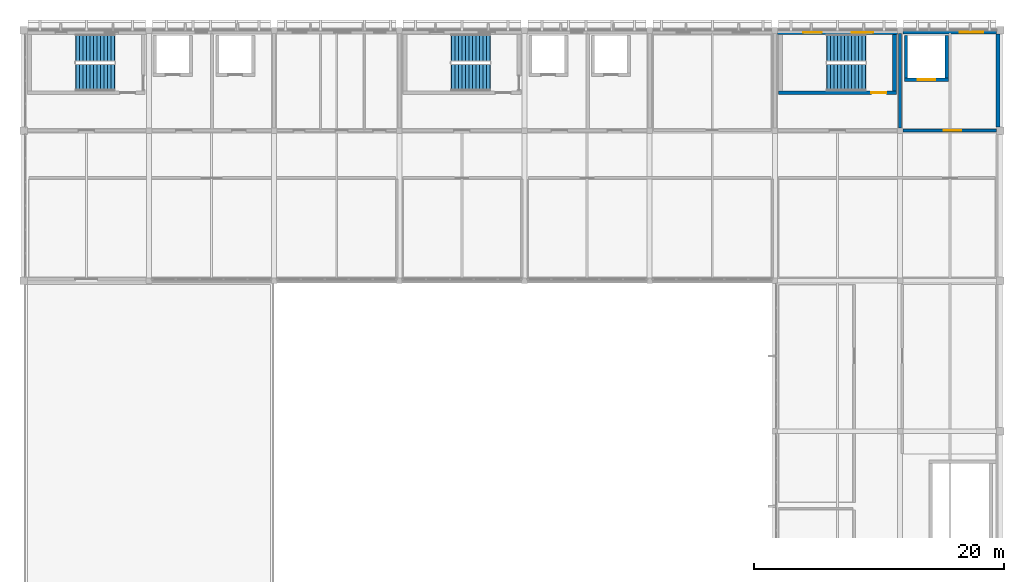
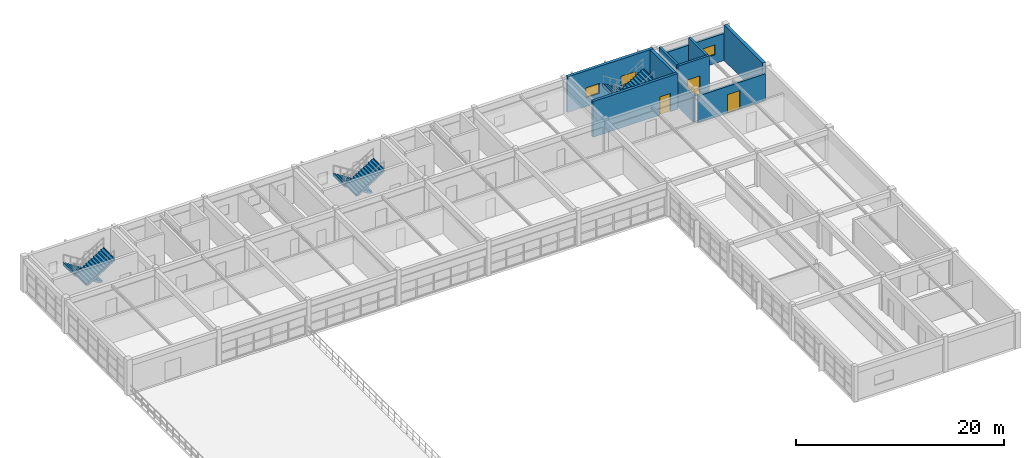
# One storey, part 17 of 21: 10 walls, 6 stair flights, 3 doors, 3 windows, 6 openings, 3 elements without a shape of their own.
"""IFC4 building model written with IfcOpenShell, lengths in metres."""

from ifc_helpers import new_model, si_unit, direction, frame, frame_2d, origin, place, context, subcontext, project, spatial, polyline, rectangle, outline, extrude, material, layer, layer_set, type_object, element, fill, aggregate, save


model = new_model("IFC4")

# Units and contexts
model_context = context("Model", 3, precision=1e-05, world=origin(), true_north=direction((0.0, 1.0)))
body_context = subcontext(model_context, "Body", "Model", "MODEL_VIEW")
ifc_project = project(units=[si_unit("LENGTHUNIT", "METRE"), si_unit("AREAUNIT", "SQUARE_METRE"), si_unit("VOLUMEUNIT", "CUBIC_METRE"), si_unit("PLANEANGLEUNIT", "RADIAN"), si_unit("MASSUNIT", "GRAM", prefix="KILO")], contexts=[model_context])

# Site, building, storey
site_placement = place(None, origin())
site = spatial("IfcSite", under=ifc_project, at=site_placement, CompositionType="ELEMENT")
building_placement = place(site_placement, origin())
building = spatial("IfcBuilding", under=site, at=building_placement, Name="Kivolera Central Railway Station", CompositionType="ELEMENT")
storey_placement = place(building_placement, frame((0.0, 0.0, 22.800048828125)))
storey = spatial("IfcBuildingStorey", under=building, at=storey_placement, Name="L05", CompositionType="ELEMENT", Elevation=22.800048828125)

# Wall, opening, door
ifc_material_1 = material(Name="Concrete C40/50", Category="concrete")
ifc_layer_1 = layer(ifc_material_1, 0.300048828125, Name="Concrete C40/50")
ifc_layer_set_1 = layer_set([ifc_layer_1], Name="Concrete C40/50")
wall_type_1 = type_object("IfcWallType", Name="WL-CORE-300", PredefinedType="SHEAR", material=ifc_layer_set_1)
wall_1_placement = place(storey_placement, frame((187.699951171875, 129.030029296875, 0.0), z_axis=(0.0, 0.0, 1.0), x_axis=(-1.0, 0.0, 0.0)))
wall_1 = element("IfcWall", 1, at=wall_1_placement, inside=storey, type_object=wall_type_1, Name="L05 ST3 Core Right Shear Wall", PredefinedType="SHEAR", context=body_context, shape_type="SweptSolid", body=[
    extrude(rectangle(XDim=9.39990234375, YDim=0.300048828125, at=frame_2d((4.699951171875, 0.0))), origin(), (0.0, 0.0, 1.0), 4.199951171875),
])
opening_1_placement = place(wall_1_placement, frame((0.800048828125, 0.0, 0.0)))
opening_1 = element("IfcOpeningElement", 2, at=opening_1_placement, cuts=wall_1, Name="Opening D-STAIR-1200", PredefinedType="OPENING", context=body_context, shape_type="SweptSolid", body=[
    extrude(rectangle(XDim=1.199951171875, YDim=2.14990234375, at=frame_2d((0.60009765625, 1.074951171875))), frame((0.0, 0.159912109375, 0.0), z_axis=(0.0, -1.0, 0.0), x_axis=(1.0, 0.0, 0.0)), (0.0, 0.0, 1.0), 0.320068359375),
])
ifc_material_2 = material(Name="Hardwood mvule timber", Category="wood")
door_type_1 = type_object("IfcDoorType", Name="DR-D-STAIR-1200", OperationType="NOTDEFINED", PredefinedType="DOOR", material=ifc_material_2)
door_1_placement = place(opening_1_placement, origin())
door_1 = element("IfcDoor", 3, at=door_1_placement, inside=storey, type_object=door_type_1, Name="L05 ST3 Vestibule Fire Door", OperationType="SINGLE_SWING_RIGHT", OverallHeight=2.14990234375, OverallWidth=1.199951171875, PredefinedType="DOOR", context=body_context, shape_type="SweptSolid", body=[
    extrude(rectangle(XDim=1.199951171875, YDim=2.14990234375, at=frame_2d((0.60009765625, 1.074951171875))), frame((0.0, 0.02490234375, 0.0), z_axis=(0.0, -1.0, 0.0), x_axis=(1.0, 0.0, 0.0)), (0.0, 0.0, 1.0), 0.050048828125),
])
fill(opening_1, door_1)

# Wall
wall_2_placement = place(storey_placement, frame((187.550048828125, 133.679931640625, 0.0), z_axis=(0.0, 0.0, 1.0), x_axis=(0.0, -1.0, 0.0)))
element("IfcWall", 4, at=wall_2_placement, inside=storey, type_object=wall_type_1, Name="L05 ST3 Core Near Shear Wall", PredefinedType="SHEAR", context=body_context, shape_type="SweptSolid", body=[
    extrude(rectangle(XDim=4.5, YDim=0.300048828125, at=frame_2d((2.25, 0.0))), origin(), (0.0, 0.0, 1.0), 4.199951171875),
])

# Wall, openings, windows
ifc_layer_2 = layer(ifc_material_1, 0.320068359375, Name="Concrete C40/50")
ifc_layer_set_2 = layer_set([ifc_layer_2], Name="Concrete C40/50")
wall_type_2 = type_object("IfcWallType", Name="WL-CORE-EXT-320", PredefinedType="SHEAR", material=ifc_layer_set_2)
wall_3_placement = place(storey_placement, frame((178.219970703125, 133.840087890625, 0.0), z_axis=(0.0, 0.0, 1.0), x_axis=(1.0, 0.0, 0.0)))
wall_3 = element("IfcWall", 5, at=wall_3_placement, inside=storey, type_object=wall_type_2, Name="L05 North Street Facade Wall Bay 7", PredefinedType="SHEAR", context=body_context, shape_type="SweptSolid", body=[
    extrude(rectangle(XDim=9.56005859375, YDim=0.320068359375, at=frame_2d((4.780029296875, 0.0))), origin(), (0.0, 0.0, 1.0), 4.199951171875),
])
opening_2_placement = place(wall_3_placement, frame((2.030029296875, 0.0, 1.050048828125)))
opening_2 = element("IfcOpeningElement", 6, at=opening_2_placement, cuts=wall_3, Name="Opening WN-04", PredefinedType="OPENING", context=body_context, shape_type="SweptSolid", body=[
    extrude(rectangle(XDim=1.5, YDim=1.14990234375, at=frame_2d((0.75, 0.574951171875))), frame((0.0, 0.169921875, 0.0), z_axis=(0.0, -1.0, 0.0), x_axis=(1.0, 0.0, 0.0)), (0.0, 0.0, 1.0), 0.340087890625),
])
opening_3_placement = place(wall_3_placement, frame((5.929931640625, 0.0, 1.050048828125)))
opening_3 = element("IfcOpeningElement", 7, at=opening_3_placement, cuts=wall_3, Name="Opening WN-05", PredefinedType="OPENING", context=body_context, shape_type="SweptSolid", body=[
    extrude(rectangle(XDim=1.699951171875, YDim=1.14990234375, at=frame_2d((0.85009765625, 0.574951171875))), frame((0.0, 0.169921875, 0.0), z_axis=(0.0, -1.0, 0.0), x_axis=(1.0, 0.0, 0.0)), (0.0, 0.0, 1.0), 0.340087890625),
])
ifc_material_3 = material(Name="Double low-E laminated glass", Category="glass")
window_type_1 = type_object("IfcWindowType", Name="WIN-WN-04", PartitioningType="SINGLE_PANEL", PredefinedType="WINDOW", material=ifc_material_3)
window_1_placement = place(opening_2_placement, origin())
window_1 = element("IfcWindow", 8, at=window_1_placement, inside=storey, type_object=window_type_1, Name="L05 North Street Window Bay 7.1", OverallHeight=1.14990234375, OverallWidth=1.5, PartitioningType="SINGLE_PANEL", PredefinedType="WINDOW", context=body_context, shape_type="SweptSolid", body=[
    extrude(rectangle(XDim=1.5, YDim=1.14990234375, at=frame_2d((0.75, 0.574951171875))), frame((0.0, 0.030029296875, 0.0), z_axis=(0.0, -1.0, 0.0), x_axis=(1.0, 0.0, 0.0)), (0.0, 0.0, 1.0), 0.06005859375),
])
fill(opening_2, window_1)
window_type_2 = type_object("IfcWindowType", Name="WIN-WN-05", PartitioningType="SINGLE_PANEL", PredefinedType="WINDOW", material=ifc_material_3)
window_2_placement = place(opening_3_placement, origin())
window_2 = element("IfcWindow", 9, at=window_2_placement, inside=storey, type_object=window_type_2, Name="L05 North Street Window Bay 7.2", OverallHeight=1.14990234375, OverallWidth=1.699951171875, PartitioningType="SINGLE_PANEL", PredefinedType="WINDOW", context=body_context, shape_type="SweptSolid", body=[
    extrude(rectangle(XDim=1.699951171875, YDim=1.14990234375, at=frame_2d((0.85009765625, 0.574951171875))), frame((0.0, 0.030029296875, 0.0), z_axis=(0.0, -1.0, 0.0), x_axis=(1.0, 0.0, 0.0)), (0.0, 0.0, 1.0), 0.06005859375),
])
fill(opening_3, window_2)

# Wall, opening, window
ifc_material_4 = material(Name="Swahili coral limestone", Category="masonry")
ifc_layer_3 = layer(ifc_material_4, 0.27001953125, Name="Swahili coral limestone")
ifc_layer_set_3 = layer_set([ifc_layer_3], Name="Swahili coral limestone")
wall_type_3 = type_object("IfcWallType", Name="WL-EXT-CORAL-270", PredefinedType="SOLIDWALL", material=ifc_layer_set_3)
wall_4_placement = place(storey_placement, frame((188.219970703125, 133.864990234375, 0.0), z_axis=(0.0, 0.0, 1.0), x_axis=(1.0, 0.0, 0.0)))
wall_4 = element("IfcWall", 10, at=wall_4_placement, inside=storey, type_object=wall_type_3, Name="L05 North Street Facade Wall Bay 8", PredefinedType="SOLIDWALL", context=body_context, shape_type="SweptSolid", body=[
    extrude(rectangle(XDim=7.485107421875, YDim=0.27001953125, at=frame_2d((3.74267578125, 0.0))), origin(), (0.0, 0.0, 1.0), 3.18798828125),
])
opening_4_placement = place(wall_4_placement, frame((4.530029296875, 0.0, 1.050048828125)))
opening_4 = element("IfcOpeningElement", 11, at=opening_4_placement, cuts=wall_4, Name="Opening WN-06", PredefinedType="OPENING", context=body_context, shape_type="SweptSolid", body=[
    extrude(rectangle(XDim=1.89990234375, YDim=1.14990234375, at=frame_2d((0.949951171875, 0.574951171875))), frame((0.0, 0.14501953125, 0.0), z_axis=(0.0, -1.0, 0.0), x_axis=(1.0, 0.0, 0.0)), (0.0, 0.0, 1.0), 0.2900390625),
])
window_type_3 = type_object("IfcWindowType", Name="WIN-WN-06", PartitioningType="SINGLE_PANEL", PredefinedType="WINDOW", material=ifc_material_3)
window_3_placement = place(opening_4_placement, origin())
window_3 = element("IfcWindow", 12, at=window_3_placement, inside=storey, type_object=window_type_3, Name="L05 North Street Window Bay 8.1", OverallHeight=1.14990234375, OverallWidth=1.89990234375, PartitioningType="SINGLE_PANEL", PredefinedType="WINDOW", context=body_context, shape_type="SweptSolid", body=[
    extrude(rectangle(XDim=1.89990234375, YDim=1.14990234375, at=frame_2d((0.949951171875, 0.574951171875))), frame((0.0, 0.030029296875, 0.0), z_axis=(0.0, -1.0, 0.0), x_axis=(1.0, 0.0, 0.0)), (0.0, 0.0, 1.0), 0.06005859375),
])
fill(opening_4, window_3)

# Wall, opening, door
ifc_layer_4 = layer(ifc_material_1, 0.25, Name="Concrete C40/50")
ifc_layer_set_4 = layer_set([ifc_layer_4], Name="Concrete C40/50")
wall_type_4 = type_object("IfcWallType", Name="WL-FFL-250", PredefinedType="PARTITIONING", material=ifc_layer_set_4)
wall_5_placement = place(storey_placement, frame((188.22998046875, 126.0, 0.0), z_axis=(0.0, 0.0, 1.0), x_axis=(1.0, 0.0, 0.0)))
wall_5 = element("IfcWall", 13, at=wall_5_placement, inside=storey, type_object=wall_type_4, Name="L05 North Core Corridor Wall 188", PredefinedType="PARTITIONING", context=body_context, shape_type="SweptSolid", body=[
    extrude(rectangle(XDim=7.465087890625, YDim=0.25, at=frame_2d((3.732421875, 0.0))), origin(), (0.0, 0.0, 1.0), 3.18798828125),
])
opening_5_placement = place(wall_5_placement, frame((3.27001953125, 0.0, 0.0)))
opening_5 = element("IfcOpeningElement", 14, at=opening_5_placement, cuts=wall_5, Name="Opening D-PLT-1400", PredefinedType="OPENING", context=body_context, shape_type="SweptSolid", body=[
    extrude(rectangle(XDim=1.39990234375, YDim=2.199951171875, at=frame_2d((0.699951171875, 1.10009765625))), frame((0.0, 0.135009765625, 0.0), z_axis=(0.0, -1.0, 0.0), x_axis=(1.0, 0.0, 0.0)), (0.0, 0.0, 1.0), 0.27001953125),
])
ifc_material_5 = material(Name="Anodised aluminium", Category="aluminium")
door_type_2 = type_object("IfcDoorType", Name="DR-D-PLT-1400", OperationType="NOTDEFINED", PredefinedType="DOOR", material=ifc_material_5)
door_2_placement = place(opening_5_placement, origin())
door_2 = element("IfcDoor", 15, at=door_2_placement, inside=storey, type_object=door_type_2, Name="L05 GL1 Goods Lift Lobby Door", OperationType="SINGLE_SWING_RIGHT", OverallHeight=2.199951171875, OverallWidth=1.39990234375, PredefinedType="DOOR", context=body_context, shape_type="SweptSolid", body=[
    extrude(rectangle(XDim=1.39990234375, YDim=2.199951171875, at=frame_2d((0.699951171875, 1.10009765625))), frame((0.0, 0.02490234375, 0.0), z_axis=(0.0, -1.0, 0.0), x_axis=(1.0, 0.0, 0.0)), (0.0, 0.0, 1.0), 0.050048828125),
])
fill(opening_5, door_2)

# Walls
wall_6_placement = place(storey_placement, frame((188.0, 126.22998046875, 0.0), z_axis=(0.0, 0.0, 1.0), x_axis=(0.0, 1.0, 0.0)))
element("IfcWall", 16, at=wall_6_placement, inside=storey, type_object=wall_type_4, Name="L05 North Core Partition GRID-188", PredefinedType="PARTITIONING", context=body_context, shape_type="SweptSolid", body=[
    extrude(rectangle(XDim=7.5400390625, YDim=0.25, at=frame_2d((3.77001953125, 0.0))), origin(), (0.0, 0.0, 1.0), 3.18798828125),
])
ifc_layer_5 = layer(ifc_material_1, 0.35009765625, Name="Concrete C40/50")
ifc_layer_set_5 = layer_set([ifc_layer_5], Name="Concrete C40/50")
wall_type_5 = type_object("IfcWallType", Name="WL-PARTY-350", PredefinedType="SOLIDWALL", material=ifc_layer_set_5)
wall_7_placement = place(storey_placement, frame((195.824951171875, 133.705078125, 0.0), z_axis=(0.0, 0.0, 1.0), x_axis=(0.0, -1.0, 0.0)))
element("IfcWall", 17, at=wall_7_placement, inside=storey, type_object=wall_type_5, Name="L05 East Infill EI 120 Party Wall 126-134", PredefinedType="SOLIDWALL", context=body_context, shape_type="SweptSolid", body=[
    extrude(rectangle(XDim=7.41015625, YDim=0.35009765625, at=frame_2d((3.705078125, 0.0))), origin(), (0.0, 0.0, 1.0), 4.199951171875),
])

# Wall, opening, door
ifc_layer_6 = layer(ifc_material_1, 0.260009765625, Name="Concrete C40/50")
ifc_layer_set_6 = layer_set([ifc_layer_6], Name="Concrete C40/50")
wall_type_6 = type_object("IfcWallType", Name="WL-SHAFT-260", PredefinedType="SHEAR", material=ifc_layer_set_6)
wall_8_placement = place(storey_placement, frame((188.340087890625, 130.070068359375, 0.0), z_axis=(0.0, 0.0, 1.0), x_axis=(1.0, 0.0, 0.0)))
wall_8 = element("IfcWall", 18, at=wall_8_placement, inside=storey, type_object=wall_type_6, Name="L05 Lift GL1 Front Shaft Wall", PredefinedType="SHEAR", context=body_context, shape_type="SweptSolid", body=[
    extrude(rectangle(XDim=3.52001953125, YDim=0.260009765625, at=frame_2d((1.760009765625, 0.0))), origin(), (0.0, 0.0, 1.0), 4.199951171875),
])
opening_6_placement = place(wall_8_placement, frame((1.06005859375, 0.0, 0.0)))
opening_6 = element("IfcOpeningElement", 19, at=opening_6_placement, cuts=wall_8, Name="Opening LD-GDS-1400", PredefinedType="OPENING", context=body_context, shape_type="SweptSolid", body=[
    extrude(rectangle(XDim=1.39990234375, YDim=2.199951171875, at=frame_2d((0.699951171875, 1.10009765625))), frame((0.0, 0.139892578125, 0.0), z_axis=(0.0, -1.0, 0.0), x_axis=(1.0, 0.0, 0.0)), (0.0, 0.0, 1.0), 0.280029296875),
])
door_type_3 = type_object("IfcDoorType", Name="DR-LD-GDS-1400", OperationType="NOTDEFINED", PredefinedType="DOOR", material=ifc_material_5)
door_3_placement = place(opening_6_placement, origin())
door_3 = element("IfcDoor", 20, at=door_3_placement, inside=storey, type_object=door_type_3, Name="L05 Lift GL1 Sliding Landing Door", OperationType="SLIDING_TO_LEFT", OverallHeight=2.199951171875, OverallWidth=1.39990234375, PredefinedType="DOOR", context=body_context, shape_type="SweptSolid", body=[
    extrude(rectangle(XDim=1.39990234375, YDim=2.199951171875, at=frame_2d((0.699951171875, 1.10009765625))), frame((0.0, 0.02490234375, 0.0), z_axis=(0.0, -1.0, 0.0), x_axis=(1.0, 0.0, 0.0)), (0.0, 0.0, 1.0), 0.050048828125),
])
fill(opening_6, door_3)

# Walls
for number, where, z_axis, x_axis, name in (
    (21, (188.469970703125, 130.199951171875, 0.0), (0.0, 0.0, 1.0), (0.0, 1.0, 0.0), "L05 Lift GL1 West Shaft Wall"),
    (22, (191.72998046875, 130.199951171875, 0.0), (0.0, 0.0, 1.0), (0.0, 1.0, 0.0), "L05 Lift GL1 East Shaft Wall"),
):
    element("IfcWall", number, at=place(storey_placement, frame(where, z_axis=z_axis, x_axis=x_axis)), inside=storey, type_object=wall_type_6, Name=name, PredefinedType="SHEAR", context=body_context, shape_type="SweptSolid", body=[
        extrude(rectangle(XDim=3.400146484375, YDim=0.260009765625, at=frame_2d((1.7001953125, 0.0))), origin(), (0.0, 0.0, 1.0), 4.199951171875),
    ])

# Stair, stair flights
stair_type = type_object("IfcStairType", Name="STR-2160-24", PredefinedType="HALF_TURN_STAIR", material=ifc_material_1)
stair_1_placement = place(storey_placement, origin())
stair_1 = element("IfcStair", 23, at=stair_1_placement, inside=storey, type_object=stair_type, Name="L05 Protected Exit Stair ST1", PredefinedType="HALF_TURN_STAIR")
stair_flight_type = type_object("IfcStairFlightType", Name="SFL-2160-24", PredefinedType="STRAIGHT", material=ifc_material_1)
stair_flight_1_placement = place(storey_placement, frame((125.239990234375, 132.60009765625, 0.0), z_axis=(0.0, 0.0, 1.0), x_axis=(-1.0, 0.0, 0.0)))
stair_flight_1 = element("IfcStairFlight", 24, at=stair_flight_1_placement, type_object=stair_flight_type, Name="ST1 flight 1", NumberOfRisers=12, NumberOfTreads=11, PredefinedType="STRAIGHT", RiserHeight=0.175, TreadLength=0.28, context=body_context, shape_type="SweptSolid", body=[
    extrude(outline(polyline([(-0.0400390625, 0.0), (0.0, 0.0), (0.0, 0.175048828125), (0.280029296875, 0.175048828125), (0.280029296875, 0.35009765625), (0.56005859375, 0.35009765625), (0.56005859375, 0.52490234375), (0.840087890625, 0.52490234375), (0.840087890625, 0.699951171875), (1.1201171875, 0.699951171875), (1.1201171875, 0.875), (1.39990234375, 0.875), (1.39990234375, 1.050048828125), (1.679931640625, 1.050048828125), (1.679931640625, 1.22509765625), (1.9599609375, 1.22509765625), (1.9599609375, 1.39990234375), (2.239990234375, 1.39990234375), (2.239990234375, 1.574951171875), (2.52001953125, 1.574951171875), (2.52001953125, 1.75), (2.800048828125, 1.75), (2.800048828125, 1.925048828125), (3.080078125, 1.925048828125), (3.080078125, 2.10009765625), (3.1201171875, 2.10009765625), (3.1201171875, 2.064697265625), (3.1201171875, 2.029541015625), (3.1201171875, 1.994384765625), (3.1201171875, 1.959228515625), (3.1201171875, 1.924072265625), (3.1201171875, 1.888916015625), (3.1201171875, 1.853759765625), (3.1201171875, 1.818603515625), (3.1201171875, 1.783447265625), (3.1201171875, 1.748291015625), (0.28271484375, -0.080078125), (-0.0400390625, -0.072021484375), (-0.0400390625, -0.06396484375), (-0.0400390625, -0.055908203125), (-0.0400390625, -0.048095703125), (-0.0400390625, -0.0400390625), (-0.0400390625, -0.031982421875), (-0.0400390625, -0.02392578125), (-0.0400390625, -0.01611328125), (-0.0400390625, -0.008056640625), (-0.0400390625, 0.0)])), frame((0.0, 1.080078125, 0.0), z_axis=(0.0, -1.0, 0.0), x_axis=(1.0, 0.0, 0.0)), (0.0, 0.0, 1.0), 2.159912109375),
])
stair_flight_2_placement = place(storey_placement, frame((122.159912109375, 130.260009765625, 2.099853515625), z_axis=(0.0, 0.0, 1.0), x_axis=(1.0, 0.0, 0.0)))
stair_flight_2 = element("IfcStairFlight", 25, at=stair_flight_2_placement, type_object=stair_flight_type, Name="ST1 flight 2", NumberOfRisers=12, NumberOfTreads=11, PredefinedType="STRAIGHT", RiserHeight=0.175, TreadLength=0.28, context=body_context, shape_type="SweptSolid", body=[
    extrude(outline(polyline([(-0.0400390625, 0.0), (0.0, 0.0), (0.0, 0.175048828125), (0.280029296875, 0.175048828125), (0.280029296875, 0.35009765625), (0.56005859375, 0.35009765625), (0.56005859375, 0.52490234375), (0.840087890625, 0.52490234375), (0.840087890625, 0.699951171875), (1.1201171875, 0.699951171875), (1.1201171875, 0.875), (1.39990234375, 0.875), (1.39990234375, 1.050048828125), (1.679931640625, 1.050048828125), (1.679931640625, 1.22509765625), (1.9599609375, 1.22509765625), (1.9599609375, 1.39990234375), (2.239990234375, 1.39990234375), (2.239990234375, 1.574951171875), (2.52001953125, 1.574951171875), (2.52001953125, 1.75), (2.800048828125, 1.75), (2.800048828125, 1.925048828125), (3.080078125, 1.925048828125), (3.080078125, 2.10009765625), (3.1201171875, 2.10009765625), (3.1201171875, 2.064697265625), (3.1201171875, 2.029541015625), (3.1201171875, 1.994384765625), (3.1201171875, 1.959228515625), (3.1201171875, 1.924072265625), (3.1201171875, 1.888916015625), (3.1201171875, 1.853759765625), (3.1201171875, 1.818603515625), (3.1201171875, 1.783447265625), (3.1201171875, 1.748291015625), (0.28271484375, -0.080078125), (-0.0400390625, -0.072021484375), (-0.0400390625, -0.06396484375), (-0.0400390625, -0.055908203125), (-0.0400390625, -0.048095703125), (-0.0400390625, -0.0400390625), (-0.0400390625, -0.031982421875), (-0.0400390625, -0.02392578125), (-0.0400390625, -0.01611328125), (-0.0400390625, -0.008056640625), (-0.0400390625, 0.0)])), frame((0.0, 1.080078125, 0.0), z_axis=(0.0, -1.0, 0.0), x_axis=(1.0, 0.0, 0.0)), (0.0, 0.0, 1.0), 2.159912109375),
])
aggregate(stair_1, [stair_flight_1, stair_flight_2])

stair_2_placement = place(storey_placement, origin())
stair_2 = element("IfcStair", 26, at=stair_2_placement, inside=storey, type_object=stair_type, Name="L05 Protected Exit Stair ST2", PredefinedType="HALF_TURN_STAIR")
stair_flight_3_placement = place(storey_placement, frame((155.239990234375, 132.60009765625, 0.0), z_axis=(0.0, 0.0, 1.0), x_axis=(-1.0, 0.0, 0.0)))
stair_flight_3 = element("IfcStairFlight", 27, at=stair_flight_3_placement, type_object=stair_flight_type, Name="ST2 flight 1", NumberOfRisers=12, NumberOfTreads=11, PredefinedType="STRAIGHT", RiserHeight=0.175, TreadLength=0.28, context=body_context, shape_type="SweptSolid", body=[
    extrude(outline(polyline([(-0.0400390625, 0.0), (0.0, 0.0), (0.0, 0.175048828125), (0.280029296875, 0.175048828125), (0.280029296875, 0.35009765625), (0.56005859375, 0.35009765625), (0.56005859375, 0.52490234375), (0.840087890625, 0.52490234375), (0.840087890625, 0.699951171875), (1.1201171875, 0.699951171875), (1.1201171875, 0.875), (1.39990234375, 0.875), (1.39990234375, 1.050048828125), (1.679931640625, 1.050048828125), (1.679931640625, 1.22509765625), (1.9599609375, 1.22509765625), (1.9599609375, 1.39990234375), (2.239990234375, 1.39990234375), (2.239990234375, 1.574951171875), (2.52001953125, 1.574951171875), (2.52001953125, 1.75), (2.800048828125, 1.75), (2.800048828125, 1.925048828125), (3.080078125, 1.925048828125), (3.080078125, 2.10009765625), (3.1201171875, 2.10009765625), (3.1201171875, 2.064697265625), (3.1201171875, 2.029541015625), (3.1201171875, 1.994384765625), (3.1201171875, 1.959228515625), (3.1201171875, 1.924072265625), (3.1201171875, 1.888916015625), (3.1201171875, 1.853759765625), (3.1201171875, 1.818603515625), (3.1201171875, 1.783447265625), (3.1201171875, 1.748291015625), (0.28271484375, -0.080078125), (-0.0400390625, -0.072021484375), (-0.0400390625, -0.06396484375), (-0.0400390625, -0.055908203125), (-0.0400390625, -0.048095703125), (-0.0400390625, -0.0400390625), (-0.0400390625, -0.031982421875), (-0.0400390625, -0.02392578125), (-0.0400390625, -0.01611328125), (-0.0400390625, -0.008056640625), (-0.0400390625, 0.0)])), frame((0.0, 1.080078125, 0.0), z_axis=(0.0, -1.0, 0.0), x_axis=(1.0, 0.0, 0.0)), (0.0, 0.0, 1.0), 2.159912109375),
])
stair_flight_4_placement = place(storey_placement, frame((152.159912109375, 130.260009765625, 2.099853515625), z_axis=(0.0, 0.0, 1.0), x_axis=(1.0, 0.0, 0.0)))
stair_flight_4 = element("IfcStairFlight", 28, at=stair_flight_4_placement, type_object=stair_flight_type, Name="ST2 flight 2", NumberOfRisers=12, NumberOfTreads=11, PredefinedType="STRAIGHT", RiserHeight=0.175, TreadLength=0.28, context=body_context, shape_type="SweptSolid", body=[
    extrude(outline(polyline([(-0.0400390625, 0.0), (0.0, 0.0), (0.0, 0.175048828125), (0.280029296875, 0.175048828125), (0.280029296875, 0.35009765625), (0.56005859375, 0.35009765625), (0.56005859375, 0.52490234375), (0.840087890625, 0.52490234375), (0.840087890625, 0.699951171875), (1.1201171875, 0.699951171875), (1.1201171875, 0.875), (1.39990234375, 0.875), (1.39990234375, 1.050048828125), (1.679931640625, 1.050048828125), (1.679931640625, 1.22509765625), (1.9599609375, 1.22509765625), (1.9599609375, 1.39990234375), (2.239990234375, 1.39990234375), (2.239990234375, 1.574951171875), (2.52001953125, 1.574951171875), (2.52001953125, 1.75), (2.800048828125, 1.75), (2.800048828125, 1.925048828125), (3.080078125, 1.925048828125), (3.080078125, 2.10009765625), (3.1201171875, 2.10009765625), (3.1201171875, 2.064697265625), (3.1201171875, 2.029541015625), (3.1201171875, 1.994384765625), (3.1201171875, 1.959228515625), (3.1201171875, 1.924072265625), (3.1201171875, 1.888916015625), (3.1201171875, 1.853759765625), (3.1201171875, 1.818603515625), (3.1201171875, 1.783447265625), (3.1201171875, 1.748291015625), (0.28271484375, -0.080078125), (-0.0400390625, -0.072021484375), (-0.0400390625, -0.06396484375), (-0.0400390625, -0.055908203125), (-0.0400390625, -0.048095703125), (-0.0400390625, -0.0400390625), (-0.0400390625, -0.031982421875), (-0.0400390625, -0.02392578125), (-0.0400390625, -0.01611328125), (-0.0400390625, -0.008056640625), (-0.0400390625, 0.0)])), frame((0.0, 1.080078125, 0.0), z_axis=(0.0, -1.0, 0.0), x_axis=(1.0, 0.0, 0.0)), (0.0, 0.0, 1.0), 2.159912109375),
])
aggregate(stair_2, [stair_flight_3, stair_flight_4])

stair_3_placement = place(storey_placement, origin())
stair_3 = element("IfcStair", 29, at=stair_3_placement, inside=storey, type_object=stair_type, Name="L05 Protected Exit Stair ST3", PredefinedType="HALF_TURN_STAIR")
stair_flight_5_placement = place(storey_placement, frame((185.239990234375, 132.60009765625, 0.0), z_axis=(0.0, 0.0, 1.0), x_axis=(-1.0, 0.0, 0.0)))
stair_flight_5 = element("IfcStairFlight", 30, at=stair_flight_5_placement, type_object=stair_flight_type, Name="ST3 flight 1", NumberOfRisers=12, NumberOfTreads=11, PredefinedType="STRAIGHT", RiserHeight=0.175, TreadLength=0.28, context=body_context, shape_type="SweptSolid", body=[
    extrude(outline(polyline([(-0.0400390625, 0.0), (0.0, 0.0), (0.0, 0.175048828125), (0.280029296875, 0.175048828125), (0.280029296875, 0.35009765625), (0.56005859375, 0.35009765625), (0.56005859375, 0.52490234375), (0.840087890625, 0.52490234375), (0.840087890625, 0.699951171875), (1.1201171875, 0.699951171875), (1.1201171875, 0.875), (1.39990234375, 0.875), (1.39990234375, 1.050048828125), (1.679931640625, 1.050048828125), (1.679931640625, 1.22509765625), (1.9599609375, 1.22509765625), (1.9599609375, 1.39990234375), (2.239990234375, 1.39990234375), (2.239990234375, 1.574951171875), (2.52001953125, 1.574951171875), (2.52001953125, 1.75), (2.800048828125, 1.75), (2.800048828125, 1.925048828125), (3.080078125, 1.925048828125), (3.080078125, 2.10009765625), (3.1201171875, 2.10009765625), (3.1201171875, 2.064697265625), (3.1201171875, 2.029541015625), (3.1201171875, 1.994384765625), (3.1201171875, 1.959228515625), (3.1201171875, 1.924072265625), (3.1201171875, 1.888916015625), (3.1201171875, 1.853759765625), (3.1201171875, 1.818603515625), (3.1201171875, 1.783447265625), (3.1201171875, 1.748291015625), (0.28271484375, -0.080078125), (-0.0400390625, -0.072021484375), (-0.0400390625, -0.06396484375), (-0.0400390625, -0.055908203125), (-0.0400390625, -0.048095703125), (-0.0400390625, -0.0400390625), (-0.0400390625, -0.031982421875), (-0.0400390625, -0.02392578125), (-0.0400390625, -0.01611328125), (-0.0400390625, -0.008056640625), (-0.0400390625, 0.0)])), frame((0.0, 1.080078125, 0.0), z_axis=(0.0, -1.0, 0.0), x_axis=(1.0, 0.0, 0.0)), (0.0, 0.0, 1.0), 2.159912109375),
])
stair_flight_6_placement = place(storey_placement, frame((182.159912109375, 130.260009765625, 2.099853515625), z_axis=(0.0, 0.0, 1.0), x_axis=(1.0, 0.0, 0.0)))
stair_flight_6 = element("IfcStairFlight", 31, at=stair_flight_6_placement, type_object=stair_flight_type, Name="ST3 flight 2", NumberOfRisers=12, NumberOfTreads=11, PredefinedType="STRAIGHT", RiserHeight=0.175, TreadLength=0.28, context=body_context, shape_type="SweptSolid", body=[
    extrude(outline(polyline([(-0.0400390625, 0.0), (0.0, 0.0), (0.0, 0.175048828125), (0.280029296875, 0.175048828125), (0.280029296875, 0.35009765625), (0.56005859375, 0.35009765625), (0.56005859375, 0.52490234375), (0.840087890625, 0.52490234375), (0.840087890625, 0.699951171875), (1.1201171875, 0.699951171875), (1.1201171875, 0.875), (1.39990234375, 0.875), (1.39990234375, 1.050048828125), (1.679931640625, 1.050048828125), (1.679931640625, 1.22509765625), (1.9599609375, 1.22509765625), (1.9599609375, 1.39990234375), (2.239990234375, 1.39990234375), (2.239990234375, 1.574951171875), (2.52001953125, 1.574951171875), (2.52001953125, 1.75), (2.800048828125, 1.75), (2.800048828125, 1.925048828125), (3.080078125, 1.925048828125), (3.080078125, 2.10009765625), (3.1201171875, 2.10009765625), (3.1201171875, 2.064697265625), (3.1201171875, 2.029541015625), (3.1201171875, 1.994384765625), (3.1201171875, 1.959228515625), (3.1201171875, 1.924072265625), (3.1201171875, 1.888916015625), (3.1201171875, 1.853759765625), (3.1201171875, 1.818603515625), (3.1201171875, 1.783447265625), (3.1201171875, 1.748291015625), (0.28271484375, -0.080078125), (-0.0400390625, -0.072021484375), (-0.0400390625, -0.06396484375), (-0.0400390625, -0.055908203125), (-0.0400390625, -0.048095703125), (-0.0400390625, -0.0400390625), (-0.0400390625, -0.031982421875), (-0.0400390625, -0.02392578125), (-0.0400390625, -0.01611328125), (-0.0400390625, -0.008056640625), (-0.0400390625, 0.0)])), frame((0.0, 1.080078125, 0.0), z_axis=(0.0, -1.0, 0.0), x_axis=(1.0, 0.0, 0.0)), (0.0, 0.0, 1.0), 2.159912109375),
])
aggregate(stair_3, [stair_flight_5, stair_flight_6])

save(model, "model.ifc")
